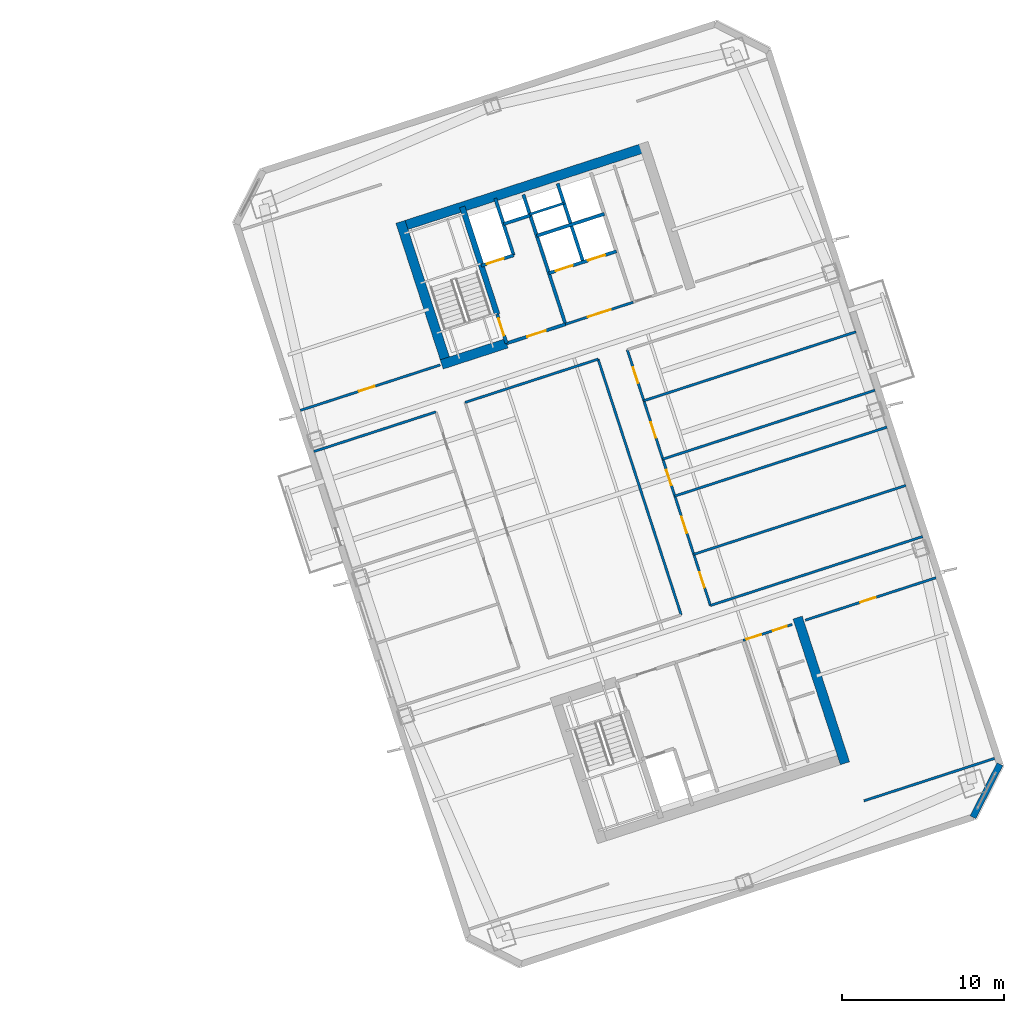
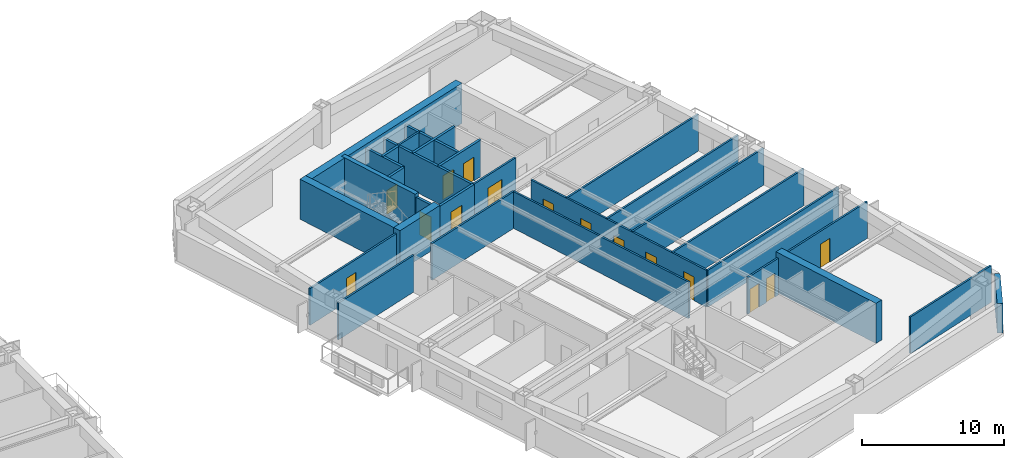
# One storey, part 15 of 23: 30 walls, 15 doors, 15 openings.
"""IFC4 building model written with IfcOpenShell, lengths in metres."""

import ifcopenshell
import ifcopenshell.guid

model = None  # the IFC model being written
_history = None  # IfcOwnerHistory: only IFC2X3 demands one
_inside = {}  # id of a spatial element -> (the spatial element, [elements in it])
_under = {}  # id of a project, library or spatial element -> (it, [spatial elements below it])
_declared = {}  # id of a project -> (the project, [libraries it declares])
_typed = {}  # id of a type object -> (the type object, [elements of that type])
_made_of = {}  # id of a material, layer set ... -> (it, [elements and type objects made of it])


def new_model(schema):
    """Start an empty IFC model of exactly this schema.

    Asked for "IFC4X3", IfcOpenShell would pick the latest addendum, in which some entities
    have other attributes; the version numbers below select the first issue.
    IFC2X3 requires an IfcOwnerHistory on every rooted entity: one is made here for all.
    """
    global model, _history
    if schema == "IFC4X3":
        model = ifcopenshell.file(schema_version=(4, 3, 0, 0))
    else:
        model = ifcopenshell.file(schema=schema)
    _inside.clear()
    _under.clear()
    _declared.clear()
    _typed.clear()
    _made_of.clear()
    _history = None
    if model.schema == "IFC2X3":
        org = make("IfcOrganization", Name="unknown")
        user = make(
            "IfcPersonAndOrganization",
            ThePerson=make("IfcPerson", FamilyName="unknown"),
            TheOrganization=org,
        )
        app = make(
            "IfcApplication",
            ApplicationDeveloper=org,
            Version="unknown",
            ApplicationFullName="unknown",
            ApplicationIdentifier="unknown",
        )
        _history = make(
            "IfcOwnerHistory",
            OwningUser=user,
            OwningApplication=app,
            ChangeAction="ADDED",
            CreationDate=0,
        )
    return model


def make(cls, **values):
    """One entity of the class cls with the attributes given. An attribute that is None is left unset."""
    return model.create_entity(
        cls, **{name: value for name, value in values.items() if value is not None}
    )


def rooted(cls, **values):
    """An entity with a GlobalId (a new one), such as an element, a storey or a relation."""
    return make(cls, GlobalId=ifcopenshell.guid.new(), OwnerHistory=_history, **values)


def si_unit(unit_type, name, prefix=None):
    """IfcSIUnit, for example si_unit("LENGTHUNIT", "METRE", prefix="MILLI")."""
    return make("IfcSIUnit", UnitType=unit_type, Prefix=prefix, Name=name)


def assignment(units):
    """IfcUnitAssignment: the units of a project."""
    return None if units is None else make("IfcUnitAssignment", Units=units)


def point(xyz):
    """IfcCartesianPoint."""
    return None if xyz is None else make("IfcCartesianPoint", Coordinates=xyz)


def direction(xyz):
    """IfcDirection."""
    return None if xyz is None else make("IfcDirection", DirectionRatios=xyz)


def frame(location, z_axis=None, x_axis=None):
    """IfcAxis2Placement3D, a coordinate frame: its origin and axes. An axis left out is left unset."""
    return make(
        "IfcAxis2Placement3D",
        Location=point(location),
        Axis=direction(z_axis),
        RefDirection=direction(x_axis),
    )


def frame_2d(location, x_axis=None):
    """IfcAxis2Placement2D, a coordinate frame in the plane: its origin and x axis."""
    return make(
        "IfcAxis2Placement2D", Location=point(location), RefDirection=direction(x_axis)
    )


def origin():
    """The frame at (0, 0, 0) with its axes left unset."""
    return frame((0.0, 0.0, 0.0))


def place(relative_to, where):
    """IfcLocalPlacement: puts the frame where relative to a parent placement (None: the world)."""
    return make(
        "IfcLocalPlacement", PlacementRelTo=relative_to, RelativePlacement=where
    )


def context(
    kind, dimensions, precision=None, world=None, true_north=None, identifier=None
):
    """IfcGeometricRepresentationContext, for example the 3D "Model" context."""
    return make(
        "IfcGeometricRepresentationContext",
        ContextIdentifier=identifier,
        ContextType=kind,
        CoordinateSpaceDimension=dimensions,
        Precision=precision,
        WorldCoordinateSystem=world,
        TrueNorth=true_north,
    )


def subcontext(parent, identifier, kind, view, scale=None):
    """IfcGeometricRepresentationSubContext, for example "Body" below "Model"."""
    return make(
        "IfcGeometricRepresentationSubContext",
        ContextIdentifier=identifier,
        ContextType=kind,
        ParentContext=parent,
        TargetScale=scale,
        TargetView=view,
    )


def project(units=None, contexts=None):
    """IfcProject with its units and contexts."""
    return rooted(
        "IfcProject",
        Name="project",
        RepresentationContexts=contexts,
        UnitsInContext=assignment(units),
    )


def spatial(cls, under=None, at=None, **own):
    """A site, building, storey or space (cls), placed at a placement, below another one or the project."""
    s = rooted(cls, ObjectPlacement=at, **own)
    if under is not None:
        _under.setdefault(under.id(), (under, []))[1].append(s)
    return s


def profile(cls, at=None, kind="AREA", **sizes):
    """A parametric profile (cls). Its sizes go by their IFC names, for example OverallWidth=200.0."""
    return make(cls, ProfileType=kind, Position=at, **sizes)


def rectangle(**sizes):
    """IfcRectangleProfileDef."""
    return profile("IfcRectangleProfileDef", **sizes)


def extrude(swept, where, along, depth):
    """IfcExtrudedAreaSolid: the profile swept, set in the frame where, extruded along a direction by depth."""
    return make(
        "IfcExtrudedAreaSolid",
        SweptArea=swept,
        Position=where,
        ExtrudedDirection=direction(along),
        Depth=depth,
    )


def shape(context_of_items, identifier, shape_type, items):
    """IfcShapeRepresentation: the items that make up one representation, for example the "Body"."""
    return make(
        "IfcShapeRepresentation",
        ContextOfItems=context_of_items,
        RepresentationIdentifier=identifier,
        RepresentationType=shape_type,
        Items=items,
    )


def material(Name=None, Category=None):
    """IfcMaterial."""
    return make("IfcMaterial", Name=Name, Category=Category)


def layer(
    of_material, thickness, ventilated=None, Name=None, Category=None, Priority=None
):
    """IfcMaterialLayer: one layer of a wall or slab, of a material (None: an air gap)."""
    return make(
        "IfcMaterialLayer",
        Material=of_material,
        LayerThickness=thickness,
        IsVentilated=ventilated,
        Name=Name,
        Category=Category,
        Priority=Priority,
    )


def layer_set(layers, Name=None):
    """IfcMaterialLayerSet."""
    return make("IfcMaterialLayerSet", MaterialLayers=layers, LayerSetName=Name)


def made_of(thing, what):
    """Note that an element or type object is made of a material, layer set ...; save() writes the relation."""
    if what is not None:
        _made_of.setdefault(what.id(), (what, []))[1].append(thing)
    return thing


def type_object(cls, material=None, **own):
    """A type object (cls), such as IfcWallType, which elements share."""
    return made_of(rooted(cls, **own), material)


def element(
    cls,
    number,
    at=None,
    inside=None,
    cuts=None,
    type_object=None,
    material=None,
    context=None,
    identifier="Body",
    shape_type=None,
    held_by="IfcProductDefinitionShape",
    body=None,
    shapes=None,
    **own,
):
    """One element of the class cls, such as IfcWall. Its Tag is "e" and its number.

    at: its placement. inside: the storey or other place that contains it. cuts: it is an
    opening in that element (IfcRelVoidsElement). A single representation is given by context,
    identifier, shape_type and body (its items); several are given by shapes. held_by: the class
    of the entity that holds the representations. save() writes the other relations.
    """
    e = rooted(cls, Tag="e%d" % number, ObjectPlacement=at, **own)
    if body is not None:
        shapes = [shape(context, identifier, shape_type, body)]
    if shapes is not None:
        e.Representation = make(held_by, Representations=shapes)
    if inside is not None:
        _inside.setdefault(inside.id(), (inside, []))[1].append(e)
    if cuts is not None:
        rooted(
            "IfcRelVoidsElement", RelatingBuildingElement=cuts, RelatedOpeningElement=e
        )
    if type_object is not None:
        _typed.setdefault(type_object.id(), (type_object, []))[1].append(e)
    return made_of(e, material)


def fill(opening, filler):
    """IfcRelFillsElement: the door or window that sits in an opening."""
    return rooted(
        "IfcRelFillsElement",
        RelatingOpeningElement=opening,
        RelatedBuildingElement=filler,
    )


def aggregate(whole, parts):
    """IfcRelAggregates: a whole, such as a stair, and the parts it consists of."""
    return rooted("IfcRelAggregates", RelatingObject=whole, RelatedObjects=parts)


def save(model, path):
    """Write the relations noted so far, then the file.

    IfcRelAggregates (storeys below a building ...), IfcRelContainedInSpatialStructure (elements
    in a storey), IfcRelDefinesByType, IfcRelAssociatesMaterial and IfcRelDeclares: one each for
    every whole, place, type object, material and project.
    """
    for whole, parts in _under.values():
        aggregate(whole, parts)
    for where, things in _inside.values():
        rooted(
            "IfcRelContainedInSpatialStructure",
            RelatedElements=things,
            RelatingStructure=where,
        )
    for kind, things in _typed.values():
        rooted("IfcRelDefinesByType", RelatedObjects=things, RelatingType=kind)
    for what, things in _made_of.values():
        rooted("IfcRelAssociatesMaterial", RelatedObjects=things, RelatingMaterial=what)
    for by, libraries in _declared.values():
        rooted("IfcRelDeclares", RelatingContext=by, RelatedDefinitions=libraries)
    model.write(path)


model = new_model("IFC4")

# Units and contexts
model_context = context("Model", 3, precision=1e-05, world=origin(), true_north=direction((0.0, 1.0)))
body_context = subcontext(model_context, "Body", "Model", "MODEL_VIEW")
ifc_project = project(units=[si_unit("LENGTHUNIT", "METRE"), si_unit("AREAUNIT", "SQUARE_METRE"), si_unit("VOLUMEUNIT", "CUBIC_METRE"), si_unit("PLANEANGLEUNIT", "RADIAN"), si_unit("MASSUNIT", "GRAM", prefix="KILO")], contexts=[model_context])

# Site, building, storey
site_placement = place(None, origin())
site = spatial("IfcSite", under=ifc_project, at=site_placement, CompositionType="ELEMENT")
building_placement = place(site_placement, origin())
building = spatial("IfcBuilding", under=site, at=building_placement, Name="Qiaolan Cultural Towers", CompositionType="ELEMENT")
storey_placement = place(building_placement, frame((0.0, 0.0, 100.050048828125)))
storey = spatial("IfcBuildingStorey", under=building, at=storey_placement, Name="L25", CompositionType="ELEMENT", Elevation=100.050048828125)

# Walls
ifc_material_1 = material(Name="Concrete C50", Category="concrete")
ifc_layer_1 = layer(ifc_material_1, 0.35009765625)
ifc_layer_set_1 = layer_set([ifc_layer_1], Name="Concrete C50")
wall_type_1 = type_object("IfcWallType", Name="WL-CORE-350", PredefinedType="SHEAR", material=ifc_layer_set_1)
wall_1_placement = place(storey_placement, frame((82.513671875, 45.13134765625, 0.0), z_axis=(0.0, 0.0, 1.0), x_axis=(-0.308988790936, 0.951065679686, 0.0)))
element("IfcWall", 1, at=wall_1_placement, inside=storey, type_object=wall_type_1, Name="L25 T2-CN Stair Core Dividing Web", PredefinedType="SHEAR", context=body_context, shape_type="SweptSolid", body=[
    extrude(rectangle(XDim=6.97998046875, YDim=0.35009765625, at=frame_2d((3.489990234375, 0.0))), origin(), (0.0, 0.0, 1.0), 3.449951171875),
])
ifc_material_2 = material(Name="Concrete C55", Category="concrete")
ifc_layer_2 = layer(ifc_material_2, 0.60009765625)
ifc_layer_set_2 = layer_set([ifc_layer_2], Name="Concrete C55")
wall_type_2 = type_object("IfcWallType", Name="WL-CORE-600", PredefinedType="SHEAR", material=ifc_layer_set_2)
wall_2_placement = place(storey_placement, frame((101.105224609375, 26.357666015625, 0.0), z_axis=(0.0, 0.0, 1.0), x_axis=(0.309010370028, -0.95105866865, 0.0)))
element("IfcWall", 2, at=wall_2_placement, inside=storey, type_object=wall_type_2, Name="L25 T2-CS East Core Shear Wall", PredefinedType="SHEAR", context=body_context, shape_type="SweptSolid", body=[
    extrude(rectangle(XDim=9.47998046875, YDim=0.60009765625, at=frame_2d((4.739990234375, 0.0))), origin(), (0.0, 0.0, 1.0), 3.449951171875),
])
wall_3_placement = place(storey_placement, frame((76.343505859375, 50.4658203125, 0.0), z_axis=(0.0, 0.0, 1.0), x_axis=(0.951055727519, 0.309019421968, 0.0)))
element("IfcWall", 3, at=wall_3_placement, inside=storey, type_object=wall_type_2, Name="L25 T2-CN Outer Core Shear Wall", PredefinedType="SHEAR", context=body_context, shape_type="SweptSolid", body=[
    extrude(rectangle(XDim=16.39990234375, YDim=0.60009765625, at=frame_2d((8.199951171875, 0.0))), origin(), (0.0, 0.0, 1.0), 3.449951171875),
])
wall_4_placement = place(storey_placement, frame((79.465576171875, 41.827880859375, 0.0), z_axis=(0.0, 0.0, 1.0), x_axis=(-0.309041232772, 0.951048640421, 0.0)))
element("IfcWall", 4, at=wall_4_placement, inside=storey, type_object=wall_type_2, Name="L25 T2-CN West Core Shear Wall", PredefinedType="SHEAR", context=body_context, shape_type="SweptSolid", body=[
    extrude(rectangle(XDim=9.47998046875, YDim=0.60009765625, at=frame_2d((4.739990234375, 0.0))), origin(), (0.0, 0.0, 1.0), 3.449951171875),
])
wall_5_placement = place(storey_placement, frame((79.08740234375, 42.0205078125, 0.0), z_axis=(0.0, 0.0, 1.0), x_axis=(0.951062550203, 0.3089984233, 0.0)))
element("IfcWall", 5, at=wall_5_placement, inside=storey, type_object=wall_type_2, Name="L25 T2-CN Stair Front Shear Wall", PredefinedType="SHEAR", context=body_context, shape_type="SweptSolid", body=[
    extrude(rectangle(XDim=4.219970703125, YDim=0.60009765625, at=frame_2d((2.10986328125, 0.0))), origin(), (0.0, 0.0, 1.0), 3.449951171875),
])
ifc_material_3 = material(Name="Precast Concrete C50 Honed Stone Pier", Category="masonry")
ifc_layer_3 = layer(ifc_material_3, 0.39990234375)
ifc_layer_set_3 = layer_set([ifc_layer_3], Name="Precast Concrete C50 Honed Stone Pier")
wall_type_3 = type_object("IfcWallType", Name="WL-EXT-PIER-400", PredefinedType="SOLIDWALL", material=ifc_layer_set_3)
wall_6_placement = place(storey_placement, frame((113.62255859375, 17.281494140625, 0.0), z_axis=(0.0, 0.0, 1.0), x_axis=(-0.454026238093, -0.890988313685, 0.0)))
element("IfcWall", 6, at=wall_6_placement, inside=storey, type_object=wall_type_3, Name="L25 East Tower Precast Pier Facade Wall F6", PredefinedType="SOLIDWALL", context=body_context, shape_type="SweptSolid", body=[
    extrude(rectangle(XDim=3.677001953125, YDim=0.39990234375, at=frame_2d((1.83837890625, 0.0))), origin(), (0.0, 0.0, 1.0), 2.550048828125),
])

# Wall, opening, door
ifc_material_4 = material(Name="Concrete C35 Fire Wall", Category="concrete")
ifc_layer_4 = layer(ifc_material_4, 0.199951171875)
ifc_layer_set_4 = layer_set([ifc_layer_4], Name="Concrete C35 Fire Wall")
wall_type_4 = type_object("IfcWallType", Name="WL-FIRE-200", PredefinedType="PARTITIONING", material=ifc_layer_set_4)
wall_7_placement = place(storey_placement, frame((83.100830078125, 43.324462890625, 0.0), z_axis=(0.0, 0.0, 1.0), x_axis=(-0.309048298632, 0.951046344356, 0.0)))
wall_7 = element("IfcWall", 7, at=wall_7_placement, inside=storey, type_object=wall_type_4, Name="L25 T2-CN Smokeproof Stair Entry Wall", PredefinedType="PARTITIONING", context=body_context, shape_type="SweptSolid", body=[
    extrude(rectangle(XDim=1.89990234375, YDim=0.199951171875, at=frame_2d((0.949951171875, 0.0))), origin(), (0.0, 0.0, 1.0), 3.155029296875),
])
opening_1_placement = place(wall_7_placement, frame((0.52001953125, 0.0, 0.0)))
opening_1 = element("IfcOpeningElement", 8, at=opening_1_placement, cuts=wall_7, Name="Opening FD-04", PredefinedType="OPENING", context=body_context, shape_type="SweptSolid", body=[
    extrude(rectangle(XDim=1.10009765625, YDim=2.050048828125, at=frame_2d((0.550048828125, 1.02490234375))), frame((0.0, 0.10986328125, 0.0), z_axis=(0.0, -1.0, 0.0), x_axis=(1.0, 0.0, 0.0)), (0.0, 0.0, 1.0), 0.219970703125),
])
ifc_material_5 = material(Name="Galvanized Steel Command Fire Door", Category="steel")
door_type_1 = type_object("IfcDoorType", Name="DR-FD90-1100", OperationType="NOTDEFINED", PredefinedType="DOOR", material=ifc_material_5)
door_1_placement = place(opening_1_placement, origin())
door_1 = element("IfcDoor", 9, at=door_1_placement, inside=storey, type_object=door_type_1, Name="L25 ST-E2 Smokeproof Stair Fire Door", OperationType="SINGLE_SWING_LEFT", OverallHeight=2.050048828125, OverallWidth=1.10009765625, PredefinedType="DOOR", context=body_context, shape_type="SweptSolid", body=[
    extrude(rectangle(XDim=1.10009765625, YDim=2.050048828125, at=frame_2d((0.550048828125, 1.02490234375))), frame((0.0, 0.02490234375, 0.0), z_axis=(0.0, -1.0, 0.0), x_axis=(1.0, 0.0, 0.0)), (0.0, 0.0, 1.0), 0.050048828125),
])
fill(opening_1, door_1)

# Wall
wall_8_placement = place(storey_placement, frame((86.743408203125, 44.508056640625, 0.0), z_axis=(0.0, 0.0, 1.0), x_axis=(-0.309016001439, 0.951056838919, 0.0)))
element("IfcWall", 10, at=wall_8_placement, inside=storey, type_object=wall_type_4, Name="L25 T2-CN Firefighting Zone Wall", PredefinedType="PARTITIONING", context=body_context, shape_type="SweptSolid", body=[
    extrude(rectangle(XDim=8.429931640625, YDim=0.199951171875, at=frame_2d((4.21484375, 0.0))), origin(), (0.0, 0.0, 1.0), 3.155029296875),
])

# Wall, opening, door
wall_9_placement = place(storey_placement, frame((83.100830078125, 43.324462890625, 0.0), z_axis=(0.0, 0.0, 1.0), x_axis=(0.951052804469, 0.309028417967, 0.0)))
wall_9 = element("IfcWall", 11, at=wall_9_placement, inside=storey, type_object=wall_type_4, Name="L25 T2-CN Firefighting Lobby Front Wall", PredefinedType="PARTITIONING", context=body_context, shape_type="SweptSolid", body=[
    extrude(rectangle(XDim=3.830078125, YDim=0.199951171875, at=frame_2d((1.9150390625, 0.0))), origin(), (0.0, 0.0, 1.0), 3.155029296875),
])
opening_2_placement = place(wall_9_placement, frame((1.35009765625, 0.0, 0.0)))
opening_2 = element("IfcOpeningElement", 12, at=opening_2_placement, cuts=wall_9, Name="Opening FD-03", PredefinedType="OPENING", context=body_context, shape_type="SweptSolid", body=[
    extrude(rectangle(XDim=1.199951171875, YDim=2.050048828125, at=frame_2d((0.60009765625, 1.02490234375))), frame((0.0, 0.10986328125, 0.0), z_axis=(0.0, -1.0, 0.0), x_axis=(1.0, 0.0, 0.0)), (0.0, 0.0, 1.0), 0.219970703125),
])
ifc_material_6 = material(Name="Galvanized Steel Smokeproof Lobby Fire Door", Category="steel")
door_type_2 = type_object("IfcDoorType", Name="DR-FD90-1200", OperationType="NOTDEFINED", PredefinedType="DOOR", material=ifc_material_6)
door_2_placement = place(opening_2_placement, origin())
door_2 = element("IfcDoor", 13, at=door_2_placement, inside=storey, type_object=door_type_2, Name="L25 FFL-E2 Firefighting Lobby Fire Door", OperationType="SINGLE_SWING_LEFT", OverallHeight=2.050048828125, OverallWidth=1.199951171875, PredefinedType="DOOR", context=body_context, shape_type="SweptSolid", body=[
    extrude(rectangle(XDim=1.199951171875, YDim=2.050048828125, at=frame_2d((0.60009765625, 1.02490234375))), frame((0.0, 0.02490234375, 0.0), z_axis=(0.0, -1.0, 0.0), x_axis=(1.0, 0.0, 0.0)), (0.0, 0.0, 1.0), 0.050048828125),
])
fill(opening_2, door_2)

wall_10_placement = place(storey_placement, frame((81.540283203125, 48.127197265625, 0.0), z_axis=(0.0, 0.0, 1.0), x_axis=(0.951062257173, 0.308999325213, 0.0)))
wall_10 = element("IfcWall", 14, at=wall_10_placement, inside=storey, type_object=wall_type_4, Name="L25 T2-CN Firefighting Shaft Front Wall", PredefinedType="PARTITIONING", context=body_context, shape_type="SweptSolid", body=[
    extrude(rectangle(XDim=2.10009765625, YDim=0.199951171875, at=frame_2d((1.050048828125, 0.0))), origin(), (0.0, 0.0, 1.0), 3.155029296875),
])
opening_3_placement = place(wall_10_placement, frame((0.35009765625, 0.0, 0.0)))
opening_3 = element("IfcOpeningElement", 15, at=opening_3_placement, cuts=wall_10, Name="Opening LD-01", PredefinedType="OPENING", context=body_context, shape_type="SweptSolid", body=[
    extrude(rectangle(XDim=1.10009765625, YDim=2.050048828125, at=frame_2d((0.550048828125, 1.02490234375))), frame((0.0, 0.10986328125, 0.0), z_axis=(0.0, -1.0, 0.0), x_axis=(1.0, 0.0, 0.0)), (0.0, 0.0, 1.0), 0.219970703125),
])
ifc_material_7 = material(Name="Brushed Stainless Steel S30408 Centre-Parting Lift Landing Door", Category="steel")
door_type_3 = type_object("IfcDoorType", Name="DR-LIFT-1100", OperationType="NOTDEFINED", PredefinedType="DOOR", material=ifc_material_7)
door_3_placement = place(opening_3_placement, origin())
door_3 = element("IfcDoor", 16, at=door_3_placement, inside=storey, type_object=door_type_3, Name="L25 FFL-E2 Firefighting Lift Landing Door", OperationType="DOUBLE_DOOR_SLIDING", OverallHeight=2.050048828125, OverallWidth=1.10009765625, PredefinedType="DOOR", context=body_context, shape_type="SweptSolid", body=[
    extrude(rectangle(XDim=1.10009765625, YDim=2.050048828125, at=frame_2d((0.550048828125, 1.02490234375))), frame((0.0, 0.02490234375, 0.0), z_axis=(0.0, -1.0, 0.0), x_axis=(1.0, 0.0, 0.0)), (0.0, 0.0, 1.0), 0.050048828125),
])
fill(opening_3, door_3)

# Walls
wall_11_placement = place(storey_placement, frame((83.53759765625, 48.776123046875, 0.0), z_axis=(0.0, 0.0, 1.0), x_axis=(-0.3089935693, 0.951064127245, 0.0)))
element("IfcWall", 17, at=wall_11_placement, inside=storey, type_object=wall_type_4, Name="L25 T2-CN Firefighting Hoistway East Wall", PredefinedType="PARTITIONING", context=body_context, shape_type="SweptSolid", body=[
    extrude(rectangle(XDim=3.7001953125, YDim=0.199951171875, at=frame_2d((1.85009765625, 0.0))), origin(), (0.0, 0.0, 1.0), 3.155029296875),
])
wall_12_placement = place(storey_placement, frame((82.910400390625, 50.706787109375, 0.0), z_axis=(0.0, 0.0, 1.0), x_axis=(0.951041328149, 0.309063734775, 0.0)))
element("IfcWall", 18, at=wall_12_placement, inside=storey, type_object=wall_type_4, Name="L25 T2-CN Pressurization Shaft Front Wall", PredefinedType="PARTITIONING", context=body_context, shape_type="SweptSolid", body=[
    extrude(rectangle(XDim=1.72998046875, YDim=0.199951171875, at=frame_2d((0.864990234375, 0.0))), origin(), (0.0, 0.0, 1.0), 3.155029296875),
])

# Wall, openings, doors
wall_13_placement = place(storey_placement, frame((85.717529296875, 47.66552734375, 0.0), z_axis=(0.0, 0.0, 1.0), x_axis=(0.951058531764, 0.30901079133, 0.0)))
wall_13 = element("IfcWall", 19, at=wall_13_placement, inside=storey, type_object=wall_type_4, Name="L25 T2-CN Passenger Lift Shaft Front Wall", PredefinedType="PARTITIONING", context=body_context, shape_type="SweptSolid", body=[
    extrude(rectangle(XDim=4.39990234375, YDim=0.199951171875, at=frame_2d((2.199951171875, 0.0))), origin(), (0.0, 0.0, 1.0), 3.155029296875),
])
opening_4_placement = place(wall_13_placement, frame((0.449951171875, 0.0, 0.0)))
opening_4 = element("IfcOpeningElement", 20, at=opening_4_placement, cuts=wall_13, Name="Opening LD-01", PredefinedType="OPENING", context=body_context, shape_type="SweptSolid", body=[
    extrude(rectangle(XDim=1.10009765625, YDim=2.050048828125, at=frame_2d((0.550048828125, 1.02490234375))), frame((0.0, 0.10986328125, 0.0), z_axis=(0.0, -1.0, 0.0), x_axis=(1.0, 0.0, 0.0)), (0.0, 0.0, 1.0), 0.219970703125),
])
opening_5_placement = place(wall_13_placement, frame((2.550048828125, 0.0, 0.0)))
opening_5 = element("IfcOpeningElement", 21, at=opening_5_placement, cuts=wall_13, Name="Opening LD-01", PredefinedType="OPENING", context=body_context, shape_type="SweptSolid", body=[
    extrude(rectangle(XDim=1.10009765625, YDim=2.050048828125, at=frame_2d((0.550048828125, 1.02490234375))), frame((0.0, 0.10986328125, 0.0), z_axis=(0.0, -1.0, 0.0), x_axis=(1.0, 0.0, 0.0)), (0.0, 0.0, 1.0), 0.219970703125),
])
door_4_placement = place(opening_4_placement, origin())
door_4 = element("IfcDoor", 22, at=door_4_placement, inside=storey, type_object=door_type_3, Name="L25 Passenger Lift 1 Landing Door", OperationType="DOUBLE_DOOR_SLIDING", OverallHeight=2.050048828125, OverallWidth=1.10009765625, PredefinedType="DOOR", context=body_context, shape_type="SweptSolid", body=[
    extrude(rectangle(XDim=1.10009765625, YDim=2.050048828125, at=frame_2d((0.550048828125, 1.02490234375))), frame((0.0, 0.02490234375, 0.0), z_axis=(0.0, -1.0, 0.0), x_axis=(1.0, 0.0, 0.0)), (0.0, 0.0, 1.0), 0.050048828125),
])
fill(opening_4, door_4)
door_5_placement = place(opening_5_placement, origin())
door_5 = element("IfcDoor", 23, at=door_5_placement, inside=storey, type_object=door_type_3, Name="L25 Passenger Lift 2 Landing Door", OperationType="DOUBLE_DOOR_SLIDING", OverallHeight=2.050048828125, OverallWidth=1.10009765625, PredefinedType="DOOR", context=body_context, shape_type="SweptSolid", body=[
    extrude(rectangle(XDim=1.10009765625, YDim=2.050048828125, at=frame_2d((0.550048828125, 1.02490234375))), frame((0.0, 0.02490234375, 0.0), z_axis=(0.0, -1.0, 0.0), x_axis=(1.0, 0.0, 0.0)), (0.0, 0.0, 1.0), 0.050048828125),
])
fill(opening_5, door_5)

# Walls
wall_14_placement = place(storey_placement, frame((87.83837890625, 48.3544921875, 0.0), z_axis=(0.0, 0.0, 1.0), x_axis=(-0.3090093719, 0.951058992953, 0.0)))
element("IfcWall", 24, at=wall_14_placement, inside=storey, type_object=wall_type_4, Name="L25 T2-CN Lift Shaft Divider Wall", PredefinedType="PARTITIONING", context=body_context, shape_type="SweptSolid", body=[
    extrude(rectangle(XDim=5.110107421875, YDim=0.199951171875, at=frame_2d((2.55517578125, 0.0))), origin(), (0.0, 0.0, 1.0), 3.155029296875),
])
wall_15_placement = place(storey_placement, frame((84.966552734375, 49.9765625, 0.0), z_axis=(0.0, 0.0, 1.0), x_axis=(0.951063829732, 0.308994485023, 0.0)))
element("IfcWall", 25, at=wall_15_placement, inside=storey, type_object=wall_type_4, Name="L25 T2-CN Passenger Lift Shaft Back Wall", PredefinedType="PARTITIONING", context=body_context, shape_type="SweptSolid", body=[
    extrude(rectangle(XDim=4.400146484375, YDim=0.199951171875, at=frame_2d((2.2001953125, 0.0))), origin(), (0.0, 0.0, 1.0), 3.155029296875),
])

# Wall, openings, doors
ifc_material_8 = material(Name="Autoclaved Aerated Concrete Block B06", Category="concrete")
ifc_layer_5 = layer(ifc_material_8, 0.14990234375)
ifc_layer_set_5 = layer_set([ifc_layer_5], Name="Autoclaved Aerated Concrete Block B06")
wall_type_5 = type_object("IfcWallType", Name="WL-PART-150", PredefinedType="PARTITIONING", material=ifc_layer_set_5)
wall_16_placement = place(storey_placement, frame((97.7265625, 24.9443359375, 0.0), z_axis=(0.0, 0.0, 1.0), x_axis=(0.951036872128, 0.309077446369, 0.0)))
wall_16 = element("IfcWall", 26, at=wall_16_placement, inside=storey, type_object=wall_type_5, Name="L25 T2-CS Sanitary Core Front Wall", PredefinedType="PARTITIONING", context=body_context, shape_type="SweptSolid", body=[
    extrude(rectangle(XDim=3.199951171875, YDim=0.14990234375, at=frame_2d((1.60009765625, 0.0))), origin(), (0.0, 0.0, 1.0), 3.155029296875),
])
opening_6_placement = place(wall_16_placement, frame((0.219970703125, 0.0, 0.0)))
opening_6 = element("IfcOpeningElement", 27, at=opening_6_placement, cuts=wall_16, Name="Opening ID-05", PredefinedType="OPENING", context=body_context, shape_type="SweptSolid", body=[
    extrude(rectangle(XDim=0.949951171875, YDim=2.050048828125, at=frame_2d((0.47509765625, 1.02490234375))), frame((0.0, 0.0849609375, 0.0), z_axis=(0.0, -1.0, 0.0), x_axis=(1.0, 0.0, 0.0)), (0.0, 0.0, 1.0), 0.169921875),
])
opening_7_placement = place(wall_16_placement, frame((1.949951171875, 0.0, 0.0)))
opening_7 = element("IfcOpeningElement", 28, at=opening_7_placement, cuts=wall_16, Name="Opening ID-06", PredefinedType="OPENING", context=body_context, shape_type="SweptSolid", body=[
    extrude(rectangle(XDim=0.89990234375, YDim=2.050048828125, at=frame_2d((0.449951171875, 1.02490234375))), frame((0.0, 0.0849609375, 0.0), z_axis=(0.0, -1.0, 0.0), x_axis=(1.0, 0.0, 0.0)), (0.0, 0.0, 1.0), 0.169921875),
])
ifc_material_9 = material(Name="Fire-Rated Laminate Core Service Door", Category="timber")
door_type_4 = type_object("IfcDoorType", Name="DR-INT-900", OperationType="NOTDEFINED", PredefinedType="DOOR", material=ifc_material_9)
door_6_placement = place(opening_7_placement, origin())
door_6 = element("IfcDoor", 29, at=door_6_placement, inside=storey, type_object=door_type_4, Name="L25 Core Tea Pantry Door", OperationType="SINGLE_SWING_RIGHT", OverallHeight=2.050048828125, OverallWidth=0.89990234375, PredefinedType="DOOR", context=body_context, shape_type="SweptSolid", body=[
    extrude(rectangle(XDim=0.89990234375, YDim=2.050048828125, at=frame_2d((0.449951171875, 1.02490234375))), frame((0.0, 0.02490234375, 0.0), z_axis=(0.0, -1.0, 0.0), x_axis=(1.0, 0.0, 0.0)), (0.0, 0.0, 1.0), 0.050048828125),
])
fill(opening_7, door_6)
ifc_material_10 = material(Name="Fire-Rated Laminate Accessible Core Door", Category="timber")
door_type_5 = type_object("IfcDoorType", Name="DR-INT-950", OperationType="NOTDEFINED", PredefinedType="DOOR", material=ifc_material_10)
door_7_placement = place(opening_6_placement, origin())
door_7 = element("IfcDoor", 30, at=door_7_placement, inside=storey, type_object=door_type_5, Name="L25 Sanitary Passage Door", OperationType="SINGLE_SWING_LEFT", OverallHeight=2.050048828125, OverallWidth=0.949951171875, PredefinedType="DOOR", context=body_context, shape_type="SweptSolid", body=[
    extrude(rectangle(XDim=0.949951171875, YDim=2.050048828125, at=frame_2d((0.47509765625, 1.02490234375))), frame((0.0, 0.02490234375, 0.0), z_axis=(0.0, -1.0, 0.0), x_axis=(1.0, 0.0, 0.0)), (0.0, 0.0, 1.0), 0.050048828125),
])
fill(opening_6, door_7)

# Wall, opening, door
wall_17_placement = place(storey_placement, frame((86.743408203125, 44.508056640625, 0.0), z_axis=(0.0, 0.0, 1.0), x_axis=(0.951063829732, 0.308994485023, 0.0)))
wall_17 = element("IfcWall", 31, at=wall_17_placement, inside=storey, type_object=wall_type_5, Name="L25 T2-CN Passenger Lift Lobby Front Wall", PredefinedType="PARTITIONING", context=body_context, shape_type="SweptSolid", body=[
    extrude(rectangle(XDim=4.400146484375, YDim=0.14990234375, at=frame_2d((2.2001953125, 0.0))), origin(), (0.0, 0.0, 1.0), 3.155029296875),
])
opening_8_placement = place(wall_17_placement, frame((1.449951171875, 0.0, 0.0)))
opening_8 = element("IfcOpeningElement", 32, at=opening_8_placement, cuts=wall_17, Name="Opening FD-05", PredefinedType="OPENING", context=body_context, shape_type="SweptSolid", body=[
    extrude(rectangle(XDim=1.5, YDim=2.050048828125, at=frame_2d((0.75, 1.02490234375))), frame((0.0, 0.0849609375, 0.0), z_axis=(0.0, -1.0, 0.0), x_axis=(1.0, 0.0, 0.0)), (0.0, 0.0, 1.0), 0.169921875),
])
ifc_material_11 = material(Name="Painted Steel Lift Lobby Fire Door", Category="steel")
door_type_6 = type_object("IfcDoorType", Name="DR-FD60-1500", OperationType="NOTDEFINED", PredefinedType="DOOR", material=ifc_material_11)
door_8_placement = place(opening_8_placement, origin())
door_8 = element("IfcDoor", 33, at=door_8_placement, inside=storey, type_object=door_type_6, Name="L25 Passenger Lift Lobby Entrance", OperationType="SINGLE_SWING_LEFT", OverallHeight=2.050048828125, OverallWidth=1.5, PredefinedType="DOOR", context=body_context, shape_type="SweptSolid", body=[
    extrude(rectangle(XDim=1.5, YDim=2.050048828125, at=frame_2d((0.75, 1.02490234375))), frame((0.0, 0.02490234375, 0.0), z_axis=(0.0, -1.0, 0.0), x_axis=(1.0, 0.0, 0.0)), (0.0, 0.0, 1.0), 0.050048828125),
])
fill(opening_8, door_8)

# Walls
wall_18_placement = place(storey_placement, frame((84.533935546875, 51.30810546875, 0.0), z_axis=(0.0, 0.0, 1.0), x_axis=(0.951075093106, 0.308959814982, 0.0)))
element("IfcWall", 34, at=wall_18_placement, inside=storey, type_object=wall_type_5, Name="L25 T2-CN Core Rear Riser Split", PredefinedType="PARTITIONING", context=body_context, shape_type="SweptSolid", body=[
    extrude(rectangle(XDim=2.22998046875, YDim=0.14990234375, at=frame_2d((1.114990234375, 0.0))), origin(), (0.0, 0.0, 1.0), 3.155029296875),
])
wall_19_placement = place(storey_placement, frame((105.209228515625, 15.02099609375, 0.0), z_axis=(0.0, 0.0, 1.0), x_axis=(0.951054329824, 0.309023723562, 0.0)))
element("IfcWall", 35, at=wall_19_placement, inside=storey, type_object=wall_type_5, Name="L25 T2 Flank Wall FLK-SE", PredefinedType="PARTITIONING", context=body_context, shape_type="SweptSolid", body=[
    extrude(rectangle(XDim=8.5, YDim=0.14990234375, at=frame_2d((4.25, 0.0))), origin(), (0.0, 0.0, 1.0), 3.155029296875),
])

# Wall, opening, door
wall_20_placement = place(storey_placement, frame((101.578369140625, 26.196044921875, 0.0), z_axis=(0.0, 0.0, 1.0), x_axis=(0.951062770994, 0.308997743729, 0.0)))
wall_20 = element("IfcWall", 36, at=wall_20_placement, inside=storey, type_object=wall_type_5, Name="L25 T2 Flank Front FLK-SE", PredefinedType="PARTITIONING", context=body_context, shape_type="SweptSolid", body=[
    extrude(rectangle(XDim=8.5, YDim=0.14990234375, at=frame_2d((4.25, 0.0))), origin(), (0.0, 0.0, 1.0), 3.155029296875),
])
opening_9_placement = place(wall_20_placement, frame((3.570068359375, 0.0, 0.0)))
opening_9 = element("IfcOpeningElement", 37, at=opening_9_placement, cuts=wall_20, Name="Opening ID-04", PredefinedType="OPENING", context=body_context, shape_type="SweptSolid", body=[
    extrude(rectangle(XDim=1.0, YDim=2.050048828125, at=frame_2d((0.5, 1.02490234375))), frame((0.0, 0.0849609375, 0.0), z_axis=(0.0, -1.0, 0.0), x_axis=(1.0, 0.0, 0.0)), (0.0, 0.0, 1.0), 0.169921875),
])
ifc_material_12 = material(Name="Oak Veneer Acoustic Office Door", Category="timber")
door_type_7 = type_object("IfcDoorType", Name="DR-INT-1000", OperationType="NOTDEFINED", PredefinedType="DOOR", material=ifc_material_12)
door_9_placement = place(opening_9_placement, origin())
door_9 = element("IfcDoor", 38, at=door_9_placement, inside=storey, type_object=door_type_7, Name="L25 T2 Corner Studio Door", OperationType="SINGLE_SWING_LEFT", OverallHeight=2.050048828125, OverallWidth=1.0, PredefinedType="DOOR", context=body_context, shape_type="SweptSolid", body=[
    extrude(rectangle(XDim=1.0, YDim=2.050048828125, at=frame_2d((0.5, 1.02490234375))), frame((0.0, 0.02490234375, 0.0), z_axis=(0.0, -1.0, 0.0), x_axis=(1.0, 0.0, 0.0)), (0.0, 0.0, 1.0), 0.050048828125),
])
fill(opening_9, door_9)

wall_21_placement = place(storey_placement, frame((70.337646484375, 39.177490234375, 0.0), z_axis=(0.0, 0.0, 1.0), x_axis=(0.951059695568, 0.309007209409, 0.0)))
wall_21 = element("IfcWall", 39, at=wall_21_placement, inside=storey, type_object=wall_type_5, Name="L25 T2 Flank Front FLK-NW", PredefinedType="PARTITIONING", context=body_context, shape_type="SweptSolid", body=[
    extrude(rectangle(XDim=9.10009765625, YDim=0.14990234375, at=frame_2d((4.550048828125, 0.0))), origin(), (0.0, 0.0, 1.0), 3.155029296875),
])
opening_10_placement = place(wall_21_placement, frame((3.822021484375, 0.0, 0.0)))
opening_10 = element("IfcOpeningElement", 40, at=opening_10_placement, cuts=wall_21, Name="Opening ID-04", PredefinedType="OPENING", context=body_context, shape_type="SweptSolid", body=[
    extrude(rectangle(XDim=1.0, YDim=2.050048828125, at=frame_2d((0.5, 1.02490234375))), frame((0.0, 0.0849609375, 0.0), z_axis=(0.0, -1.0, 0.0), x_axis=(1.0, 0.0, 0.0)), (0.0, 0.0, 1.0), 0.169921875),
])
door_10_placement = place(opening_10_placement, origin())
door_10 = element("IfcDoor", 41, at=door_10_placement, inside=storey, type_object=door_type_7, Name="L25 T2 Corner Studio Door", OperationType="SINGLE_SWING_LEFT", OverallHeight=2.050048828125, OverallWidth=1.0, PredefinedType="DOOR", context=body_context, shape_type="SweptSolid", body=[
    extrude(rectangle(XDim=1.0, YDim=2.050048828125, at=frame_2d((0.5, 1.02490234375))), frame((0.0, 0.02490234375, 0.0), z_axis=(0.0, -1.0, 0.0), x_axis=(1.0, 0.0, 0.0)), (0.0, 0.0, 1.0), 0.050048828125),
])
fill(opening_10, door_10)

# Walls
wall_22_placement = place(storey_placement, frame((95.70947265625, 27.10693359375, 0.0), z_axis=(0.0, 0.0, 1.0), x_axis=(0.951056688031, 0.309016465825, 0.0)))
element("IfcWall", 42, at=wall_22_placement, inside=storey, type_object=wall_type_5, Name="L25 T2 Interior Wall", PredefinedType="PARTITIONING", context=body_context, shape_type="SweptSolid", body=[
    extrude(rectangle(XDim=13.7998046875, YDim=0.14990234375, at=frame_2d((6.89990234375, 0.0))), origin(), (0.0, 0.0, 1.0), 3.155029296875),
])
wall_23_placement = place(storey_placement, frame((71.166015625, 36.628662109375, 0.0), z_axis=(0.0, 0.0, 1.0), x_axis=(0.951060470027, 0.309004825775, 0.0)))
element("IfcWall", 43, at=wall_23_placement, inside=storey, type_object=wall_type_5, Name="L25 T2 Interior Wall", PredefinedType="PARTITIONING", context=body_context, shape_type="SweptSolid", body=[
    extrude(rectangle(XDim=7.949951171875, YDim=0.14990234375, at=frame_2d((3.97509765625, 0.0))), origin(), (0.0, 0.0, 1.0), 3.155029296875),
])
wall_24_placement = place(storey_placement, frame((80.533935546875, 39.67236328125, 0.0), z_axis=(0.0, 0.0, 1.0), x_axis=(0.951052319652, 0.309029910015, 0.0)))
element("IfcWall", 44, at=wall_24_placement, inside=storey, type_object=wall_type_5, Name="L25 T2 Interior Wall", PredefinedType="PARTITIONING", context=body_context, shape_type="SweptSolid", body=[
    extrude(rectangle(XDim=8.64990234375, YDim=0.14990234375, at=frame_2d((4.324951171875, 0.0))), origin(), (0.0, 0.0, 1.0), 3.155029296875),
])
wall_25_placement = place(storey_placement, frame((93.902587890625, 26.519775390625, 0.0), z_axis=(0.0, 0.0, 1.0), x_axis=(-0.30901773025, 0.951056277195, 0.0)))
element("IfcWall", 45, at=wall_25_placement, inside=storey, type_object=wall_type_5, Name="L25 T2 Interior Wall", PredefinedType="PARTITIONING", context=body_context, shape_type="SweptSolid", body=[
    extrude(rectangle(XDim=16.64013671875, YDim=0.14990234375, at=frame_2d((8.320068359375, 0.0))), origin(), (0.0, 0.0, 1.0), 3.155029296875),
])

# Wall, openings, doors
wall_26_placement = place(storey_placement, frame((95.70947265625, 27.10693359375, 0.0), z_axis=(0.0, 0.0, 1.0), x_axis=(-0.30901773025, 0.951056277195, 0.0)))
wall_26 = element("IfcWall", 46, at=wall_26_placement, inside=storey, type_object=wall_type_5, Name="L25 T2 Interior Wall", PredefinedType="PARTITIONING", context=body_context, shape_type="SweptSolid", body=[
    extrude(rectangle(XDim=16.64013671875, YDim=0.14990234375, at=frame_2d((8.320068359375, 0.0))), origin(), (0.0, 0.0, 1.0), 3.155029296875),
])
opening_11_placement = place(wall_26_placement, frame((1.1640625, 0.0, 0.0)))
opening_11 = element("IfcOpeningElement", 47, at=opening_11_placement, cuts=wall_26, Name="Opening ID-04", PredefinedType="OPENING", context=body_context, shape_type="SweptSolid", body=[
    extrude(rectangle(XDim=1.0, YDim=2.050048828125, at=frame_2d((0.5, 1.02490234375))), frame((0.0, 0.0849609375, 0.0), z_axis=(0.0, -1.0, 0.0), x_axis=(1.0, 0.0, 0.0)), (0.0, 0.0, 1.0), 0.169921875),
])
opening_12_placement = place(wall_26_placement, frame((4.72412109375, 0.0, 0.0)))
opening_12 = element("IfcOpeningElement", 48, at=opening_12_placement, cuts=wall_26, Name="Opening ID-07", PredefinedType="OPENING", context=body_context, shape_type="SweptSolid", body=[
    extrude(rectangle(XDim=1.050048828125, YDim=2.050048828125, at=frame_2d((0.52490234375, 1.02490234375))), frame((0.0, 0.0849609375, 0.0), z_axis=(0.0, -1.0, 0.0), x_axis=(1.0, 0.0, 0.0)), (0.0, 0.0, 1.0), 0.169921875),
])
opening_13_placement = place(wall_26_placement, frame((7.820068359375, 0.0, 0.0)))
opening_13 = element("IfcOpeningElement", 49, at=opening_13_placement, cuts=wall_26, Name="Opening ID-04", PredefinedType="OPENING", context=body_context, shape_type="SweptSolid", body=[
    extrude(rectangle(XDim=1.0, YDim=2.050048828125, at=frame_2d((0.5, 1.02490234375))), frame((0.0, 0.0849609375, 0.0), z_axis=(0.0, -1.0, 0.0), x_axis=(1.0, 0.0, 0.0)), (0.0, 0.0, 1.0), 0.169921875),
])
opening_14_placement = place(wall_26_placement, frame((10.919921875, 0.0, 0.0)))
opening_14 = element("IfcOpeningElement", 50, at=opening_14_placement, cuts=wall_26, Name="Opening ID-04", PredefinedType="OPENING", context=body_context, shape_type="SweptSolid", body=[
    extrude(rectangle(XDim=1.0, YDim=2.050048828125, at=frame_2d((0.5, 1.02490234375))), frame((0.0, 0.0849609375, 0.0), z_axis=(0.0, -1.0, 0.0), x_axis=(1.0, 0.0, 0.0)), (0.0, 0.0, 1.0), 0.169921875),
])
opening_15_placement = place(wall_26_placement, frame((14.47998046875, 0.0, 0.0)))
opening_15 = element("IfcOpeningElement", 51, at=opening_15_placement, cuts=wall_26, Name="Opening ID-04", PredefinedType="OPENING", context=body_context, shape_type="SweptSolid", body=[
    extrude(rectangle(XDim=1.0, YDim=2.050048828125, at=frame_2d((0.5, 1.02490234375))), frame((0.0, 0.0849609375, 0.0), z_axis=(0.0, -1.0, 0.0), x_axis=(1.0, 0.0, 0.0)), (0.0, 0.0, 1.0), 0.169921875),
])
door_11_placement = place(opening_11_placement, origin())
door_11 = element("IfcDoor", 52, at=door_11_placement, inside=storey, type_object=door_type_7, Name="L25 T2 Archival Research Office Door", OperationType="SINGLE_SWING_RIGHT", OverallHeight=2.050048828125, OverallWidth=1.0, PredefinedType="DOOR", context=body_context, shape_type="SweptSolid", body=[
    extrude(rectangle(XDim=1.0, YDim=2.050048828125, at=frame_2d((0.5, 1.02490234375))), frame((0.0, 0.02490234375, 0.0), z_axis=(0.0, -1.0, 0.0), x_axis=(1.0, 0.0, 0.0)), (0.0, 0.0, 1.0), 0.050048828125),
])
fill(opening_11, door_11)
door_12_placement = place(opening_13_placement, origin())
door_12 = element("IfcDoor", 53, at=door_12_placement, inside=storey, type_object=door_type_7, Name="L25 T2 Colloquium Room Door", OperationType="SINGLE_SWING_RIGHT", OverallHeight=2.050048828125, OverallWidth=1.0, PredefinedType="DOOR", context=body_context, shape_type="SweptSolid", body=[
    extrude(rectangle(XDim=1.0, YDim=2.050048828125, at=frame_2d((0.5, 1.02490234375))), frame((0.0, 0.02490234375, 0.0), z_axis=(0.0, -1.0, 0.0), x_axis=(1.0, 0.0, 0.0)), (0.0, 0.0, 1.0), 0.050048828125),
])
fill(opening_13, door_12)
door_13_placement = place(opening_14_placement, origin())
door_13 = element("IfcDoor", 54, at=door_13_placement, inside=storey, type_object=door_type_7, Name="L25 T2 Tea Kitchen Door", OperationType="SINGLE_SWING_LEFT", OverallHeight=2.050048828125, OverallWidth=1.0, PredefinedType="DOOR", context=body_context, shape_type="SweptSolid", body=[
    extrude(rectangle(XDim=1.0, YDim=2.050048828125, at=frame_2d((0.5, 1.02490234375))), frame((0.0, 0.02490234375, 0.0), z_axis=(0.0, -1.0, 0.0), x_axis=(1.0, 0.0, 0.0)), (0.0, 0.0, 1.0), 0.050048828125),
])
fill(opening_14, door_13)
door_14_placement = place(opening_15_placement, origin())
door_14 = element("IfcDoor", 55, at=door_14_placement, inside=storey, type_object=door_type_7, Name="L25 T2 Scholar Lounge Door", OperationType="SINGLE_SWING_RIGHT", OverallHeight=2.050048828125, OverallWidth=1.0, PredefinedType="DOOR", context=body_context, shape_type="SweptSolid", body=[
    extrude(rectangle(XDim=1.0, YDim=2.050048828125, at=frame_2d((0.5, 1.02490234375))), frame((0.0, 0.02490234375, 0.0), z_axis=(0.0, -1.0, 0.0), x_axis=(1.0, 0.0, 0.0)), (0.0, 0.0, 1.0), 0.050048828125),
])
fill(opening_15, door_14)
ifc_material_13 = material(Name="Oak Veneer Consultation Door", Category="timber")
door_type_8 = type_object("IfcDoorType", Name="DR-INT-1050", OperationType="NOTDEFINED", PredefinedType="DOOR", material=ifc_material_13)
door_15_placement = place(opening_12_placement, origin())
door_15 = element("IfcDoor", 56, at=door_15_placement, inside=storey, type_object=door_type_8, Name="L25 T2 Archival Research Office Door", OperationType="SINGLE_SWING_LEFT", OverallHeight=2.050048828125, OverallWidth=1.050048828125, PredefinedType="DOOR", context=body_context, shape_type="SweptSolid", body=[
    extrude(rectangle(XDim=1.050048828125, YDim=2.050048828125, at=frame_2d((0.52490234375, 1.02490234375))), frame((0.0, 0.02490234375, 0.0), z_axis=(0.0, -1.0, 0.0), x_axis=(1.0, 0.0, 0.0)), (0.0, 0.0, 1.0), 0.050048828125),
])
fill(opening_12, door_15)

# Walls
wall_27_placement = place(storey_placement, frame((94.68115234375, 30.27197265625, 0.0), z_axis=(0.0, 0.0, 1.0), x_axis=(0.951051488548, 0.309032467762, 0.0)))
element("IfcWall", 57, at=wall_27_placement, inside=storey, type_object=wall_type_5, Name="L25 T2 Interior Wall", PredefinedType="PARTITIONING", context=body_context, shape_type="SweptSolid", body=[
    extrude(rectangle(XDim=13.800048828125, YDim=0.14990234375, at=frame_2d((6.89990234375, 0.0))), origin(), (0.0, 0.0, 1.0), 3.155029296875),
])
wall_28_placement = place(storey_placement, frame((93.50927734375, 33.87841796875, 0.0), z_axis=(0.0, 0.0, 1.0), x_axis=(0.951056688031, 0.309016465825, 0.0)))
element("IfcWall", 58, at=wall_28_placement, inside=storey, type_object=wall_type_5, Name="L25 T2 Interior Wall", PredefinedType="PARTITIONING", context=body_context, shape_type="SweptSolid", body=[
    extrude(rectangle(XDim=13.7998046875, YDim=0.14990234375, at=frame_2d((6.89990234375, 0.0))), origin(), (0.0, 0.0, 1.0), 3.155029296875),
])
wall_29_placement = place(storey_placement, frame((92.767578125, 36.1611328125, 0.0), z_axis=(0.0, 0.0, 1.0), x_axis=(0.951058377365, 0.309011266531, 0.0)))
element("IfcWall", 59, at=wall_29_placement, inside=storey, type_object=wall_type_5, Name="L25 T2 Interior Wall", PredefinedType="PARTITIONING", context=body_context, shape_type="SweptSolid", body=[
    extrude(rectangle(XDim=13.800048828125, YDim=0.14990234375, at=frame_2d((6.89990234375, 0.0))), origin(), (0.0, 0.0, 1.0), 3.155029296875),
])
wall_30_placement = place(storey_placement, frame((91.593505859375, 39.775146484375, 0.0), z_axis=(0.0, 0.0, 1.0), x_axis=(0.951056688031, 0.309016465825, 0.0)))
element("IfcWall", 60, at=wall_30_placement, inside=storey, type_object=wall_type_5, Name="L25 T2 Interior Wall", PredefinedType="PARTITIONING", context=body_context, shape_type="SweptSolid", body=[
    extrude(rectangle(XDim=13.7998046875, YDim=0.14990234375, at=frame_2d((6.89990234375, 0.0))), origin(), (0.0, 0.0, 1.0), 3.155029296875),
])

save(model, "model.ifc")
